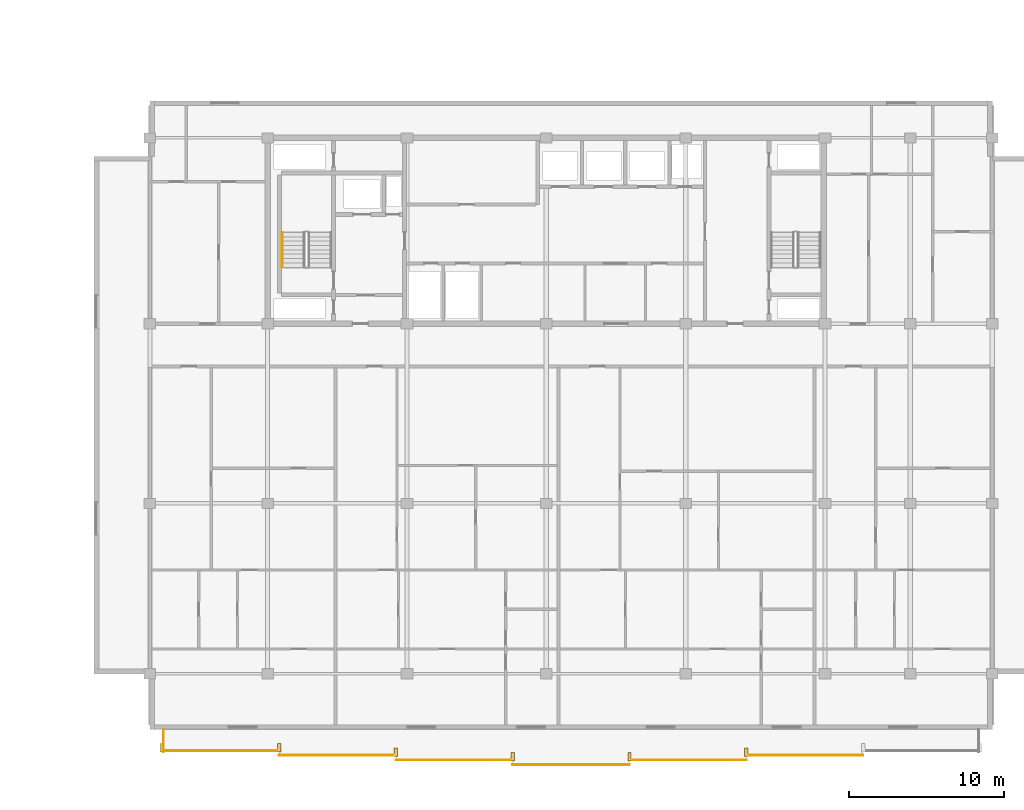
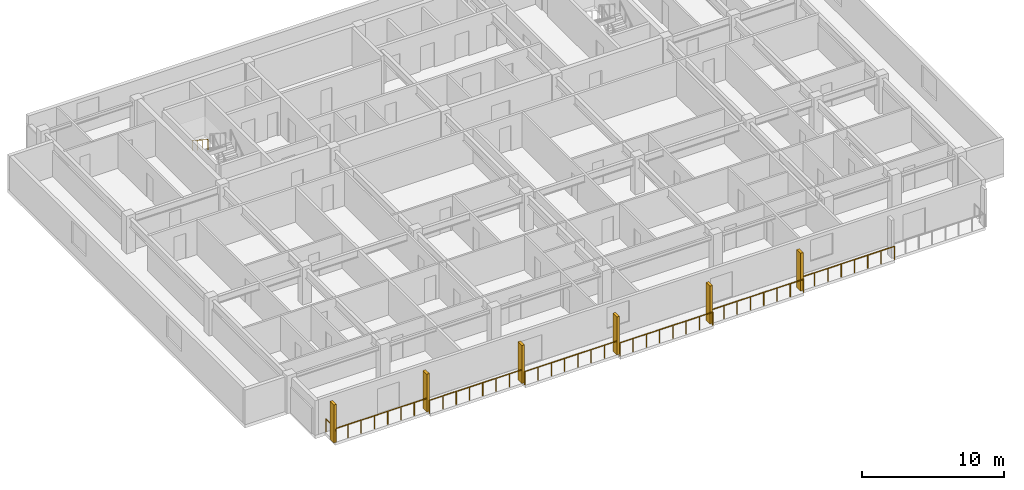
# One storey, part 17 of 21: 8 railings, 6 shading devices.
"""IFC4 building model written with IfcOpenShell, lengths in metres."""

import ifcopenshell
import ifcopenshell.guid

model = None  # the IFC model being written
_history = None  # IfcOwnerHistory: only IFC2X3 demands one
_inside = {}  # id of a spatial element -> (the spatial element, [elements in it])
_under = {}  # id of a project, library or spatial element -> (it, [spatial elements below it])
_declared = {}  # id of a project -> (the project, [libraries it declares])
_typed = {}  # id of a type object -> (the type object, [elements of that type])
_made_of = {}  # id of a material, layer set ... -> (it, [elements and type objects made of it])


def new_model(schema):
    """Start an empty IFC model of exactly this schema.

    Asked for "IFC4X3", IfcOpenShell would pick the latest addendum, in which some entities
    have other attributes; the version numbers below select the first issue.
    IFC2X3 requires an IfcOwnerHistory on every rooted entity: one is made here for all.
    """
    global model, _history
    if schema == "IFC4X3":
        model = ifcopenshell.file(schema_version=(4, 3, 0, 0))
    else:
        model = ifcopenshell.file(schema=schema)
    _inside.clear()
    _under.clear()
    _declared.clear()
    _typed.clear()
    _made_of.clear()
    _history = None
    if model.schema == "IFC2X3":
        org = make("IfcOrganization", Name="unknown")
        user = make(
            "IfcPersonAndOrganization",
            ThePerson=make("IfcPerson", FamilyName="unknown"),
            TheOrganization=org,
        )
        app = make(
            "IfcApplication",
            ApplicationDeveloper=org,
            Version="unknown",
            ApplicationFullName="unknown",
            ApplicationIdentifier="unknown",
        )
        _history = make(
            "IfcOwnerHistory",
            OwningUser=user,
            OwningApplication=app,
            ChangeAction="ADDED",
            CreationDate=0,
        )
    return model


def make(cls, **values):
    """One entity of the class cls with the attributes given. An attribute that is None is left unset."""
    return model.create_entity(
        cls, **{name: value for name, value in values.items() if value is not None}
    )


def rooted(cls, **values):
    """An entity with a GlobalId (a new one), such as an element, a storey or a relation."""
    return make(cls, GlobalId=ifcopenshell.guid.new(), OwnerHistory=_history, **values)


def si_unit(unit_type, name, prefix=None):
    """IfcSIUnit, for example si_unit("LENGTHUNIT", "METRE", prefix="MILLI")."""
    return make("IfcSIUnit", UnitType=unit_type, Prefix=prefix, Name=name)


def assignment(units):
    """IfcUnitAssignment: the units of a project."""
    return None if units is None else make("IfcUnitAssignment", Units=units)


def point(xyz):
    """IfcCartesianPoint."""
    return None if xyz is None else make("IfcCartesianPoint", Coordinates=xyz)


def direction(xyz):
    """IfcDirection."""
    return None if xyz is None else make("IfcDirection", DirectionRatios=xyz)


def frame(location, z_axis=None, x_axis=None):
    """IfcAxis2Placement3D, a coordinate frame: its origin and axes. An axis left out is left unset."""
    return make(
        "IfcAxis2Placement3D",
        Location=point(location),
        Axis=direction(z_axis),
        RefDirection=direction(x_axis),
    )


def frame_2d(location, x_axis=None):
    """IfcAxis2Placement2D, a coordinate frame in the plane: its origin and x axis."""
    return make(
        "IfcAxis2Placement2D", Location=point(location), RefDirection=direction(x_axis)
    )


def origin():
    """The frame at (0, 0, 0) with its axes left unset."""
    return frame((0.0, 0.0, 0.0))


def origin_2d():
    """The frame at (0, 0) in the plane with its x axis left unset."""
    return frame_2d((0.0, 0.0))


def place(relative_to, where):
    """IfcLocalPlacement: puts the frame where relative to a parent placement (None: the world)."""
    return make(
        "IfcLocalPlacement", PlacementRelTo=relative_to, RelativePlacement=where
    )


def context(
    kind, dimensions, precision=None, world=None, true_north=None, identifier=None
):
    """IfcGeometricRepresentationContext, for example the 3D "Model" context."""
    return make(
        "IfcGeometricRepresentationContext",
        ContextIdentifier=identifier,
        ContextType=kind,
        CoordinateSpaceDimension=dimensions,
        Precision=precision,
        WorldCoordinateSystem=world,
        TrueNorth=true_north,
    )


def subcontext(parent, identifier, kind, view, scale=None):
    """IfcGeometricRepresentationSubContext, for example "Body" below "Model"."""
    return make(
        "IfcGeometricRepresentationSubContext",
        ContextIdentifier=identifier,
        ContextType=kind,
        ParentContext=parent,
        TargetScale=scale,
        TargetView=view,
    )


def project(units=None, contexts=None):
    """IfcProject with its units and contexts."""
    return rooted(
        "IfcProject",
        Name="project",
        RepresentationContexts=contexts,
        UnitsInContext=assignment(units),
    )


def spatial(cls, under=None, at=None, **own):
    """A site, building, storey or space (cls), placed at a placement, below another one or the project."""
    s = rooted(cls, ObjectPlacement=at, **own)
    if under is not None:
        _under.setdefault(under.id(), (under, []))[1].append(s)
    return s


def profile(cls, at=None, kind="AREA", **sizes):
    """A parametric profile (cls). Its sizes go by their IFC names, for example OverallWidth=200.0."""
    return make(cls, ProfileType=kind, Position=at, **sizes)


def rectangle(**sizes):
    """IfcRectangleProfileDef."""
    return profile("IfcRectangleProfileDef", **sizes)


def circle(**sizes):
    """IfcCircleProfileDef."""
    return profile("IfcCircleProfileDef", **sizes)


def extrude(swept, where, along, depth):
    """IfcExtrudedAreaSolid: the profile swept, set in the frame where, extruded along a direction by depth."""
    return make(
        "IfcExtrudedAreaSolid",
        SweptArea=swept,
        Position=where,
        ExtrudedDirection=direction(along),
        Depth=depth,
    )


def shape(context_of_items, identifier, shape_type, items):
    """IfcShapeRepresentation: the items that make up one representation, for example the "Body"."""
    return make(
        "IfcShapeRepresentation",
        ContextOfItems=context_of_items,
        RepresentationIdentifier=identifier,
        RepresentationType=shape_type,
        Items=items,
    )


def material(Name=None, Category=None):
    """IfcMaterial."""
    return make("IfcMaterial", Name=Name, Category=Category)


def made_of(thing, what):
    """Note that an element or type object is made of a material, layer set ...; save() writes the relation."""
    if what is not None:
        _made_of.setdefault(what.id(), (what, []))[1].append(thing)
    return thing


def type_object(cls, material=None, **own):
    """A type object (cls), such as IfcWallType, which elements share."""
    return made_of(rooted(cls, **own), material)


def element(
    cls,
    number,
    at=None,
    inside=None,
    cuts=None,
    type_object=None,
    material=None,
    context=None,
    identifier="Body",
    shape_type=None,
    held_by="IfcProductDefinitionShape",
    body=None,
    shapes=None,
    **own,
):
    """One element of the class cls, such as IfcWall. Its Tag is "e" and its number.

    at: its placement. inside: the storey or other place that contains it. cuts: it is an
    opening in that element (IfcRelVoidsElement). A single representation is given by context,
    identifier, shape_type and body (its items); several are given by shapes. held_by: the class
    of the entity that holds the representations. save() writes the other relations.
    """
    e = rooted(cls, Tag="e%d" % number, ObjectPlacement=at, **own)
    if body is not None:
        shapes = [shape(context, identifier, shape_type, body)]
    if shapes is not None:
        e.Representation = make(held_by, Representations=shapes)
    if inside is not None:
        _inside.setdefault(inside.id(), (inside, []))[1].append(e)
    if cuts is not None:
        rooted(
            "IfcRelVoidsElement", RelatingBuildingElement=cuts, RelatedOpeningElement=e
        )
    if type_object is not None:
        _typed.setdefault(type_object.id(), (type_object, []))[1].append(e)
    return made_of(e, material)


def aggregate(whole, parts):
    """IfcRelAggregates: a whole, such as a stair, and the parts it consists of."""
    return rooted("IfcRelAggregates", RelatingObject=whole, RelatedObjects=parts)


def save(model, path):
    """Write the relations noted so far, then the file.

    IfcRelAggregates (storeys below a building ...), IfcRelContainedInSpatialStructure (elements
    in a storey), IfcRelDefinesByType, IfcRelAssociatesMaterial and IfcRelDeclares: one each for
    every whole, place, type object, material and project.
    """
    for whole, parts in _under.values():
        aggregate(whole, parts)
    for where, things in _inside.values():
        rooted(
            "IfcRelContainedInSpatialStructure",
            RelatedElements=things,
            RelatingStructure=where,
        )
    for kind, things in _typed.values():
        rooted("IfcRelDefinesByType", RelatedObjects=things, RelatingType=kind)
    for what, things in _made_of.values():
        rooted("IfcRelAssociatesMaterial", RelatedObjects=things, RelatingMaterial=what)
    for by, libraries in _declared.values():
        rooted("IfcRelDeclares", RelatingContext=by, RelatedDefinitions=libraries)
    model.write(path)


model = new_model("IFC4")

# Units and contexts
model_context = context("Model", 3, precision=1e-05, world=origin(), true_north=direction((0.0, 1.0)))
body_context = subcontext(model_context, "Body", "Model", "MODEL_VIEW")
ifc_project = project(units=[si_unit("LENGTHUNIT", "METRE"), si_unit("AREAUNIT", "SQUARE_METRE"), si_unit("VOLUMEUNIT", "CUBIC_METRE"), si_unit("PLANEANGLEUNIT", "RADIAN"), si_unit("MASSUNIT", "GRAM", prefix="KILO")], contexts=[model_context])

# Site, building, storey
site_placement = place(None, origin())
site = spatial("IfcSite", under=ifc_project, at=site_placement, CompositionType="ELEMENT")
building_placement = place(site_placement, origin())
building = spatial("IfcBuilding", under=site, at=building_placement, Name="Korimba Cascade Residences", CompositionType="ELEMENT")
storey_placement = place(building_placement, frame((0.0, 0.0, 184.85009765625)))
storey = spatial("IfcBuildingStorey", under=building, at=storey_placement, Name="L53", CompositionType="ELEMENT", Elevation=184.85009765625)

# Railings
ifc_material_1 = material(Name="Laminated Glass and Bronze Balustrade", Category="glass")
railing_type_1 = type_object("IfcRailingType", Name="RLG-LOG-1150", PredefinedType="BALUSTRADE", material=ifc_material_1)
railing_1_placement = place(storey_placement, frame((75.300048828125, -9.169921875, 0.0)))
element("IfcRailing", 1, at=railing_1_placement, inside=storey, type_object=railing_type_1, Name="L53 Perimeter Guardrail RLG-L53-T2-LOG-01", PredefinedType="BALUSTRADE", context=body_context, shape_type="SweptSolid", body=[
    extrude(circle(Radius=0.02392578125, at=origin_2d()), frame((0.0, 0.0, 1.1259765625), z_axis=(1.0, 0.0, 0.0), x_axis=(0.0, 1.0, 0.0)), (0.0, 0.0, 1.0), 7.54296875),
    extrude(circle(Radius=0.02099609375, at=origin_2d()), origin(), (0.0, 0.0, 1.0), 1.101806640625),
    extrude(circle(Radius=0.02099609375, at=origin_2d()), frame((1.07763671875, 0.0, 0.0)), (0.0, 0.0, 1.0), 1.101806640625),
    extrude(circle(Radius=0.02099609375, at=origin_2d()), frame((2.155029296875, 0.0, 0.0)), (0.0, 0.0, 1.0), 1.101806640625),
    extrude(circle(Radius=0.02099609375, at=origin_2d()), frame((3.232666015625, 0.0, 0.0)), (0.0, 0.0, 1.0), 1.101806640625),
    extrude(circle(Radius=0.02099609375, at=origin_2d()), frame((4.310302734375, 0.0, 0.0)), (0.0, 0.0, 1.0), 1.101806640625),
    extrude(circle(Radius=0.02099609375, at=origin_2d()), frame((5.387939453125, 0.0, 0.0)), (0.0, 0.0, 1.0), 1.101806640625),
    extrude(circle(Radius=0.02099609375, at=origin_2d()), frame((6.46533203125, 0.0, 0.0)), (0.0, 0.0, 1.0), 1.101806640625),
    extrude(circle(Radius=0.02099609375, at=origin_2d()), frame((7.54296875, 0.0, 0.0)), (0.0, 0.0, 1.0), 1.101806640625),
])
railing_2_placement = place(storey_placement, frame((82.843017578125, -9.469970703125, 0.0)))
element("IfcRailing", 2, at=railing_2_placement, inside=storey, type_object=railing_type_1, Name="L53 Perimeter Guardrail RLG-L53-T2-LOG-02", PredefinedType="BALUSTRADE", context=body_context, shape_type="SweptSolid", body=[
    extrude(circle(Radius=0.02392578125, at=origin_2d()), frame((0.0, 0.0, 1.1259765625), z_axis=(1.0, 0.0, 0.0), x_axis=(0.0, 1.0, 0.0)), (0.0, 0.0, 1.0), 7.542724609375),
    extrude(circle(Radius=0.02099609375, at=origin_2d()), origin(), (0.0, 0.0, 1.0), 1.101806640625),
    extrude(circle(Radius=0.02099609375, at=origin_2d()), frame((1.07763671875, 0.0, 0.0)), (0.0, 0.0, 1.0), 1.101806640625),
    extrude(circle(Radius=0.02099609375, at=origin_2d()), frame((2.155029296875, 0.0, 0.0)), (0.0, 0.0, 1.0), 1.101806640625),
    extrude(circle(Radius=0.02099609375, at=origin_2d()), frame((3.232666015625, 0.0, 0.0)), (0.0, 0.0, 1.0), 1.101806640625),
    extrude(circle(Radius=0.02099609375, at=origin_2d()), frame((4.31005859375, 0.0, 0.0)), (0.0, 0.0, 1.0), 1.101806640625),
    extrude(circle(Radius=0.02099609375, at=origin_2d()), frame((5.3876953125, 0.0, 0.0)), (0.0, 0.0, 1.0), 1.101806640625),
    extrude(circle(Radius=0.02099609375, at=origin_2d()), frame((6.465087890625, 0.0, 0.0)), (0.0, 0.0, 1.0), 1.101806640625),
    extrude(circle(Radius=0.02099609375, at=origin_2d()), frame((7.542724609375, 0.0, 0.0)), (0.0, 0.0, 1.0), 1.101806640625),
])
railing_3_placement = place(storey_placement, frame((90.3857421875, -9.77001953125, 0.0)))
element("IfcRailing", 3, at=railing_3_placement, inside=storey, type_object=railing_type_1, Name="L53 Perimeter Guardrail RLG-L53-T2-LOG-03", PredefinedType="BALUSTRADE", context=body_context, shape_type="SweptSolid", body=[
    extrude(circle(Radius=0.02392578125, at=origin_2d()), frame((0.0, 0.0, 1.1259765625), z_axis=(1.0, 0.0, 0.0), x_axis=(0.0, 1.0, 0.0)), (0.0, 0.0, 1.0), 7.54296875),
    extrude(circle(Radius=0.02099609375, at=origin_2d()), origin(), (0.0, 0.0, 1.0), 1.101806640625),
    extrude(circle(Radius=0.02099609375, at=origin_2d()), frame((1.07763671875, 0.0, 0.0)), (0.0, 0.0, 1.0), 1.101806640625),
    extrude(circle(Radius=0.02099609375, at=origin_2d()), frame((2.155029296875, 0.0, 0.0)), (0.0, 0.0, 1.0), 1.101806640625),
    extrude(circle(Radius=0.02099609375, at=origin_2d()), frame((3.232666015625, 0.0, 0.0)), (0.0, 0.0, 1.0), 1.101806640625),
    extrude(circle(Radius=0.02099609375, at=origin_2d()), frame((4.310302734375, 0.0, 0.0)), (0.0, 0.0, 1.0), 1.101806640625),
    extrude(circle(Radius=0.02099609375, at=origin_2d()), frame((5.387939453125, 0.0, 0.0)), (0.0, 0.0, 1.0), 1.101806640625),
    extrude(circle(Radius=0.02099609375, at=origin_2d()), frame((6.46533203125, 0.0, 0.0)), (0.0, 0.0, 1.0), 1.101806640625),
    extrude(circle(Radius=0.02099609375, at=origin_2d()), frame((7.54296875, 0.0, 0.0)), (0.0, 0.0, 1.0), 1.101806640625),
])
railing_4_placement = place(storey_placement, frame((97.9287109375, -10.070068359375, 0.0)))
element("IfcRailing", 4, at=railing_4_placement, inside=storey, type_object=railing_type_1, Name="L53 Perimeter Guardrail RLG-L53-T2-LOG-04", PredefinedType="BALUSTRADE", context=body_context, shape_type="SweptSolid", body=[
    extrude(circle(Radius=0.02392578125, at=origin_2d()), frame((0.0, 0.0, 1.1259765625), z_axis=(1.0, 0.0, 0.0), x_axis=(0.0, 1.0, 0.0)), (0.0, 0.0, 1.0), 7.542724609375),
    extrude(circle(Radius=0.02099609375, at=origin_2d()), origin(), (0.0, 0.0, 1.0), 1.101806640625),
    extrude(circle(Radius=0.02099609375, at=origin_2d()), frame((1.07763671875, 0.0, 0.0)), (0.0, 0.0, 1.0), 1.101806640625),
    extrude(circle(Radius=0.02099609375, at=origin_2d()), frame((2.155029296875, 0.0, 0.0)), (0.0, 0.0, 1.0), 1.101806640625),
    extrude(circle(Radius=0.02099609375, at=origin_2d()), frame((3.232666015625, 0.0, 0.0)), (0.0, 0.0, 1.0), 1.101806640625),
    extrude(circle(Radius=0.02099609375, at=origin_2d()), frame((4.31005859375, 0.0, 0.0)), (0.0, 0.0, 1.0), 1.101806640625),
    extrude(circle(Radius=0.02099609375, at=origin_2d()), frame((5.3876953125, 0.0, 0.0)), (0.0, 0.0, 1.0), 1.101806640625),
    extrude(circle(Radius=0.02099609375, at=origin_2d()), frame((6.465087890625, 0.0, 0.0)), (0.0, 0.0, 1.0), 1.101806640625),
    extrude(circle(Radius=0.02099609375, at=origin_2d()), frame((7.542724609375, 0.0, 0.0)), (0.0, 0.0, 1.0), 1.101806640625),
])
railing_5_placement = place(storey_placement, frame((105.471435546875, -9.77001953125, 0.0)))
element("IfcRailing", 5, at=railing_5_placement, inside=storey, type_object=railing_type_1, Name="L53 Perimeter Guardrail RLG-L53-T2-LOG-05", PredefinedType="BALUSTRADE", context=body_context, shape_type="SweptSolid", body=[
    extrude(circle(Radius=0.02392578125, at=origin_2d()), frame((0.0, 0.0, 1.1259765625), z_axis=(1.0, 0.0, 0.0), x_axis=(0.0, 1.0, 0.0)), (0.0, 0.0, 1.0), 7.54296875),
    extrude(circle(Radius=0.02099609375, at=origin_2d()), origin(), (0.0, 0.0, 1.0), 1.101806640625),
    extrude(circle(Radius=0.02099609375, at=origin_2d()), frame((1.07763671875, 0.0, 0.0)), (0.0, 0.0, 1.0), 1.101806640625),
    extrude(circle(Radius=0.02099609375, at=origin_2d()), frame((2.155029296875, 0.0, 0.0)), (0.0, 0.0, 1.0), 1.101806640625),
    extrude(circle(Radius=0.02099609375, at=origin_2d()), frame((3.232666015625, 0.0, 0.0)), (0.0, 0.0, 1.0), 1.101806640625),
    extrude(circle(Radius=0.02099609375, at=origin_2d()), frame((4.310302734375, 0.0, 0.0)), (0.0, 0.0, 1.0), 1.101806640625),
    extrude(circle(Radius=0.02099609375, at=origin_2d()), frame((5.387939453125, 0.0, 0.0)), (0.0, 0.0, 1.0), 1.101806640625),
    extrude(circle(Radius=0.02099609375, at=origin_2d()), frame((6.46533203125, 0.0, 0.0)), (0.0, 0.0, 1.0), 1.101806640625),
    extrude(circle(Radius=0.02099609375, at=origin_2d()), frame((7.54296875, 0.0, 0.0)), (0.0, 0.0, 1.0), 1.101806640625),
])
railing_6_placement = place(storey_placement, frame((113.014404296875, -9.469970703125, 0.0)))
element("IfcRailing", 6, at=railing_6_placement, inside=storey, type_object=railing_type_1, Name="L53 Perimeter Guardrail RLG-L53-T2-LOG-06", PredefinedType="BALUSTRADE", context=body_context, shape_type="SweptSolid", body=[
    extrude(circle(Radius=0.02392578125, at=origin_2d()), frame((0.0, 0.0, 1.1259765625), z_axis=(1.0, 0.0, 0.0), x_axis=(0.0, 1.0, 0.0)), (0.0, 0.0, 1.0), 7.542724609375),
    extrude(circle(Radius=0.02099609375, at=origin_2d()), origin(), (0.0, 0.0, 1.0), 1.101806640625),
    extrude(circle(Radius=0.02099609375, at=origin_2d()), frame((1.07763671875, 0.0, 0.0)), (0.0, 0.0, 1.0), 1.101806640625),
    extrude(circle(Radius=0.02099609375, at=origin_2d()), frame((2.155029296875, 0.0, 0.0)), (0.0, 0.0, 1.0), 1.101806640625),
    extrude(circle(Radius=0.02099609375, at=origin_2d()), frame((3.232666015625, 0.0, 0.0)), (0.0, 0.0, 1.0), 1.101806640625),
    extrude(circle(Radius=0.02099609375, at=origin_2d()), frame((4.31005859375, 0.0, 0.0)), (0.0, 0.0, 1.0), 1.101806640625),
    extrude(circle(Radius=0.02099609375, at=origin_2d()), frame((5.3876953125, 0.0, 0.0)), (0.0, 0.0, 1.0), 1.101806640625),
    extrude(circle(Radius=0.02099609375, at=origin_2d()), frame((6.465087890625, 0.0, 0.0)), (0.0, 0.0, 1.0), 1.101806640625),
    extrude(circle(Radius=0.02099609375, at=origin_2d()), frame((7.542724609375, 0.0, 0.0)), (0.0, 0.0, 1.0), 1.101806640625),
])
railing_7_placement = place(storey_placement, frame((75.3798828125, -7.800048828125, 0.0)))
element("IfcRailing", 7, at=railing_7_placement, inside=storey, type_object=railing_type_1, Name="L53 Perimeter Guardrail RLG-L53-T2-LOG-09", PredefinedType="BALUSTRADE", context=body_context, shape_type="SweptSolid", body=[
    extrude(circle(Radius=0.02392578125, at=origin_2d()), frame((0.0, 0.0, 1.1259765625), z_axis=(0.0, -1.0, 0.0), x_axis=(1.0, 0.0, 0.0)), (0.0, 0.0, 1.0), 1.449951171875),
    extrude(circle(Radius=0.02099609375, at=origin_2d()), origin(), (0.0, 0.0, 1.0), 1.101806640625),
    extrude(circle(Radius=0.02099609375, at=origin_2d()), frame((0.0, -0.72509765625, 0.0)), (0.0, 0.0, 1.0), 1.101806640625),
    extrude(circle(Radius=0.02099609375, at=origin_2d()), frame((0.0, -1.449951171875, 0.0)), (0.0, 0.0, 1.0), 1.101806640625),
])
ifc_material_2 = material(Name="Brushed Stainless Steel Handrail", Category="steel")
railing_type_2 = type_object("IfcRailingType", Name="RLG-ST-HR900", PredefinedType="HANDRAIL", material=ifc_material_2)
railing_8_placement = place(storey_placement, frame((83.050048828125, 24.2900390625, 1.98974609375)))
element("IfcRailing", 8, at=railing_8_placement, inside=storey, type_object=railing_type_2, Name="L53 ST-E1 stair handrail 2", PredefinedType="HANDRAIL", context=body_context, shape_type="SweptSolid", body=[
    extrude(circle(Radius=0.02392578125, at=origin_2d()), frame((0.0, 0.0, 0.8759765625), z_axis=(0.0, -0.840394893359, 0.541974559565), x_axis=(1.0, 0.0, 0.0)), (0.0, 0.0, 1.0), 2.665283203125),
    extrude(circle(Radius=0.02099609375, at=origin_2d()), origin(), (0.0, 0.0, 1.0), 0.851806640625),
    extrude(circle(Radius=0.02099609375, at=origin_2d()), frame((0.0, -0.74658203125, 0.4814453125)), (0.0, 0.0, 1.0), 0.851806640625),
    extrude(circle(Radius=0.02099609375, at=origin_2d()), frame((0.0, -1.493408203125, 0.963134765625)), (0.0, 0.0, 1.0), 0.851806640625),
    extrude(circle(Radius=0.02099609375, at=origin_2d()), frame((0.0, -2.239990234375, 1.444580078125)), (0.0, 0.0, 1.0), 0.851806640625),
])

# Shading devices
ifc_material_3 = material(Name="Honed Sandstone Precast Fin", Category="masonry")
shading_device_type = type_object("IfcShadingDeviceType", Name="SHD-FIN-550", PredefinedType="USERDEFINED", material=ifc_material_3)
for number, where, z_axis, x_axis, name in (
    (9, (75.300048828125, -8.97509765625, 0.0), (0.0, 0.0, 1.0), (1.0, 0.0, 0.0), "L53 T2 Warm-Stone Loggia Fin 1"),
    (10, (82.843017578125, -8.97509765625, 0.0), (0.0, 0.0, 1.0), (1.0, 0.0, 0.0), "L53 T2 Warm-Stone Loggia Fin 2"),
    (11, (90.3857421875, -9.27490234375, 0.0), (0.0, 0.0, 1.0), (1.0, 0.0, 0.0), "L53 T2 Warm-Stone Loggia Fin 3"),
    (12, (97.9287109375, -9.574951171875, 0.0), (0.0, 0.0, 1.0), (1.0, 0.0, 0.0), "L53 T2 Warm-Stone Loggia Fin 4"),
    (13, (105.471435546875, -9.574951171875, 0.0), (0.0, 0.0, 1.0), (1.0, 0.0, 0.0), "L53 T2 Warm-Stone Loggia Fin 5"),
    (14, (113.014404296875, -9.27490234375, 0.0), (0.0, 0.0, 1.0), (1.0, 0.0, 0.0), "L53 T2 Warm-Stone Loggia Fin 6"),
):
    element("IfcShadingDevice", number, at=place(storey_placement, frame(where, z_axis=z_axis, x_axis=x_axis)), inside=storey, type_object=shading_device_type, Name=name, ObjectType="FIN", PredefinedType="USERDEFINED", context=body_context, shape_type="SweptSolid", body=[
        extrude(rectangle(XDim=0.219970703125, YDim=0.550048828125, at=origin_2d()), origin(), (0.0, 0.0, 1.0), 3.25),
    ])

save(model, "model.ifc")
